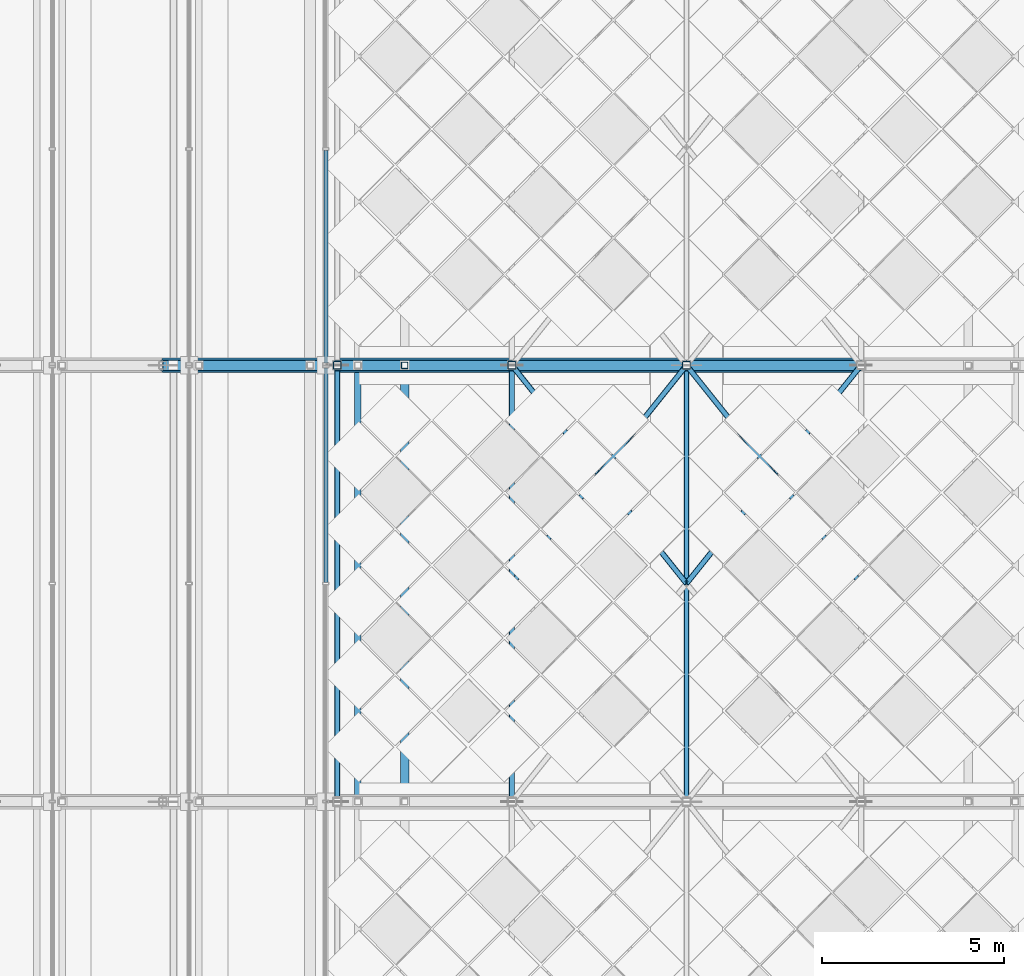
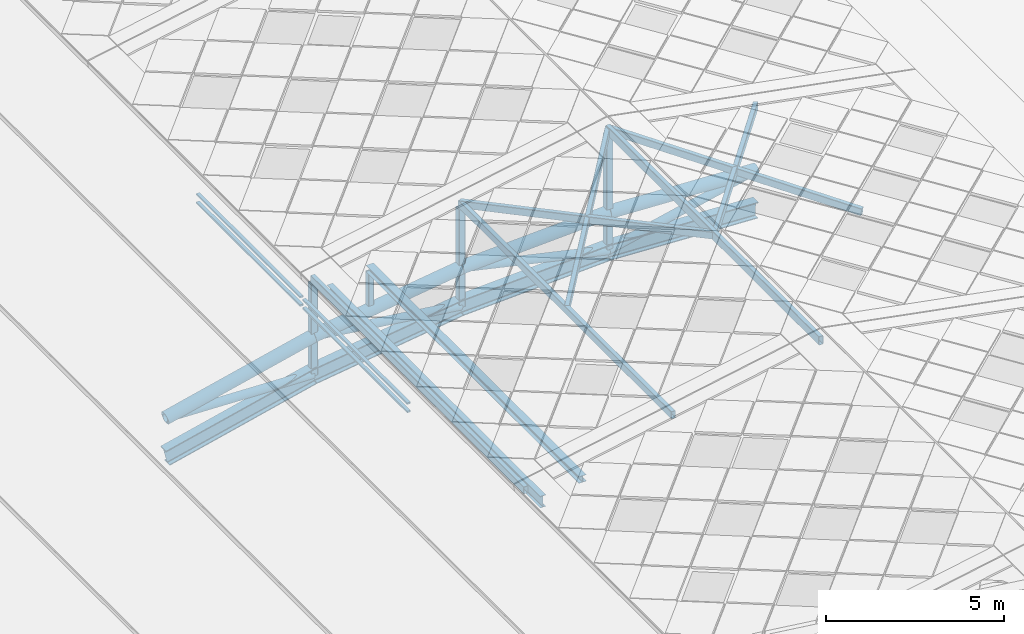
# One storey, part 25 of 117: 29 members, 2 elements without a shape of their own.
"""IFC4 building model written with IfcOpenShell, lengths in metres."""

from ifc_helpers import new_model, si_unit, direction, frame, origin, origin_2d, place, context, subcontext, project, spatial, hollow_rectangle, hollow_circle, i_section, extrude, material, material_profile, profile_set, type_object, element, aggregate, save


model = new_model("IFC4")

# Units and contexts
model_context = context("Model", 3, precision=1e-05, world=origin(), true_north=direction((0.0, 1.0)))
body_context = subcontext(model_context, "Body", "Model", "MODEL_VIEW")
ifc_project = project(units=[si_unit("LENGTHUNIT", "METRE"), si_unit("AREAUNIT", "SQUARE_METRE"), si_unit("VOLUMEUNIT", "CUBIC_METRE"), si_unit("PLANEANGLEUNIT", "RADIAN"), si_unit("MASSUNIT", "GRAM", prefix="KILO")], contexts=[model_context])

# Site, building, storey
site_placement = place(None, origin())
site = spatial("IfcSite", under=ifc_project, at=site_placement, CompositionType="ELEMENT")
building_placement = place(site_placement, origin())
building = spatial("IfcBuilding", under=site, at=building_placement, Name="Merenkruunu Market Hall", CompositionType="ELEMENT")
storey_placement = place(building_placement, frame((0.0, 0.0, 22.800048828125)))
storey = spatial("IfcBuildingStorey", under=building, at=storey_placement, Name="RF", CompositionType="ELEMENT", Elevation=22.800048828125)

# Members
ifc_material_1 = material(Name="Steel S355ML", Category="steel")
ifc_material_profile_1 = material_profile(ifc_material_1, hollow_circle(Radius=0.203125, WallThickness=0.01611328125, at=origin_2d()), Name="CHS 406.4x16")
ifc_profile_set_1 = profile_set([ifc_material_profile_1], Name="Steel S355ML")
member_type_1 = type_object("IfcMemberType", Name="Arch Truss Chord TC02", PredefinedType="CHORD", material=ifc_profile_set_1)
member_1_placement = place(storey_placement, frame((14.39990234375, 87.60009765625, -3.47998046875), z_axis=(0.972941974064, 0.0, 0.231049594471), x_axis=(0.0, 1.0, 0.0)))
element("IfcMember", 1, at=member_1_placement, inside=storey, type_object=member_type_1, Name="TRUSS-AT-7-TOP-04", PredefinedType="CHORD", context=body_context, shape_type="SweptSolid", body=[
    extrude(hollow_circle(Radius=0.203125, WallThickness=0.01611328125, at=origin_2d()), origin(), (0.0, 0.0, 1.0), 4.93359375),
])
member_2_placement = place(storey_placement, frame((19.199951171875, 87.60009765625, -2.340087890625), z_axis=(0.990338564897, 0.0, 0.138670569613), x_axis=(0.0, 1.0, 0.0)))
element("IfcMember", 2, at=member_2_placement, inside=storey, type_object=member_type_1, Name="TRUSS-AT-7-TOP-05", PredefinedType="CHORD", context=body_context, shape_type="SweptSolid", body=[
    extrude(hollow_circle(Radius=0.203125, WallThickness=0.01611328125, at=origin_2d()), origin(), (0.0, 0.0, 1.0), 4.846923828125),
])
for number, where, z_axis, x_axis, name in (
    (3, (24.0, 87.60009765625, -1.66796875), (0.998932934692, 0.0, 0.046184326211), (0.0, 1.0, 0.0), "TRUSS-AT-7-TOP-06"),
    (4, (28.800048828125, 87.60009765625, -1.446044921875), (0.998932934692, 0.0, -0.046184326211), (0.0, 1.0, 0.0), "TRUSS-AT-7-TOP-07"),
):
    element("IfcMember", number, at=place(storey_placement, frame(where, z_axis=z_axis, x_axis=x_axis)), inside=storey, type_object=member_type_1, Name=name, PredefinedType="CHORD", context=body_context, shape_type="SweptSolid", body=[
        extrude(hollow_circle(Radius=0.203125, WallThickness=0.01611328125, at=origin_2d()), origin(), (0.0, 0.0, 1.0), 4.80517578125),
    ])
ifc_material_profile_2 = material_profile(ifc_material_1, i_section(OverallWidth=0.300048828125, OverallDepth=0.550048828125, WebThickness=0.014892578125, FlangeThickness=0.029052734375, FilletRadius=0.027099609375, at=origin_2d()), Name="HEB 550")
ifc_profile_set_2 = profile_set([ifc_material_profile_2], Name="Steel S355ML")
member_type_2 = type_object("IfcMemberType", Name="Arch Truss Chord TC03", PredefinedType="CHORD", material=ifc_profile_set_2)
member_3_placement = place(storey_placement, frame((14.39990234375, 87.60009765625, -4.780029296875), z_axis=(0.972941974064, 0.0, 0.231049594471), x_axis=(0.0, 1.0, 0.0)))
element("IfcMember", 5, at=member_3_placement, inside=storey, type_object=member_type_2, Name="TRUSS-AT-7-BOT-04", PredefinedType="CHORD", context=body_context, shape_type="SweptSolid", body=[
    extrude(i_section(OverallWidth=0.300048828125, OverallDepth=0.550048828125, WebThickness=0.014892578125, FlangeThickness=0.029052734375, FilletRadius=0.027099609375, at=origin_2d()), origin(), (0.0, 0.0, 1.0), 4.93359375),
])
member_4_placement = place(storey_placement, frame((19.199951171875, 87.60009765625, -3.64013671875), z_axis=(0.990338564897, 0.0, 0.138670569613), x_axis=(0.0, 1.0, 0.0)))
element("IfcMember", 6, at=member_4_placement, inside=storey, type_object=member_type_2, Name="TRUSS-AT-7-BOT-05", PredefinedType="CHORD", context=body_context, shape_type="SweptSolid", body=[
    extrude(i_section(OverallWidth=0.300048828125, OverallDepth=0.550048828125, WebThickness=0.014892578125, FlangeThickness=0.029052734375, FilletRadius=0.027099609375, at=origin_2d()), origin(), (0.0, 0.0, 1.0), 4.846923828125),
])
for number, where, z_axis, x_axis, name in (
    (7, (24.0, 87.60009765625, -2.968017578125), (0.998932934692, 0.0, 0.046184326211), (0.0, 1.0, 0.0), "TRUSS-AT-7-BOT-06"),
    (8, (28.800048828125, 87.60009765625, -2.74609375), (0.998932934692, 0.0, -0.046184326211), (0.0, 1.0, 0.0), "TRUSS-AT-7-BOT-07"),
):
    element("IfcMember", number, at=place(storey_placement, frame(where, z_axis=z_axis, x_axis=x_axis)), inside=storey, type_object=member_type_2, Name=name, PredefinedType="CHORD", context=body_context, shape_type="SweptSolid", body=[
        extrude(i_section(OverallWidth=0.300048828125, OverallDepth=0.550048828125, WebThickness=0.014892578125, FlangeThickness=0.029052734375, FilletRadius=0.027099609375, at=origin_2d()), origin(), (0.0, 0.0, 1.0), 4.80517578125),
    ])

# Curtain wall, members
ifc_material_2 = material(Name="Powder-coated aluminium", Category="aluminium")
curtain_wall_type = type_object("IfcCurtainWallType", Name="Clerestory Curtain Band CL05", PredefinedType="USERDEFINED", material=ifc_material_2)
curtain_wall_1_placement = place(storey_placement, origin())
curtain_wall_1 = element("IfcCurtainWall", 9, at=curtain_wall_1_placement, inside=storey, type_object=curtain_wall_type, Name="CW-RF-CWM04-117", ObjectType="CLERESTORY_BAND", PredefinedType="USERDEFINED")
ifc_material_profile_3 = material_profile(ifc_material_2, hollow_rectangle(XDim=0.06005859375, YDim=0.110107421875, WallThickness=0.00390625, at=origin_2d()), Name="ALU 60x110x4")
ifc_profile_set_3 = profile_set([ifc_material_profile_3], Name="Powder-coated aluminium")
member_type_3 = type_object("IfcMemberType", Name="Curtain Wall Transom CWT03", PredefinedType="USERDEFINED", material=ifc_profile_set_3)
member_5_placement = place(storey_placement, frame((18.8798828125, 81.635009765625, -1.212158203125), z_axis=(0.0, 1.0, 0.0), x_axis=(0.0, 0.0, 1.0)))
member_5 = element("IfcMember", 10, at=member_5_placement, type_object=member_type_3, Name="CL05 transom 4.1", ObjectType="TRANSOM", PredefinedType="USERDEFINED", context=body_context, shape_type="SweptSolid", body=[
    extrude(hollow_rectangle(XDim=0.06005859375, YDim=0.110107421875, WallThickness=0.00390625, at=origin_2d()), origin(), (0.0, 0.0, 1.0), 5.89501953125),
])
member_6_placement = place(storey_placement, frame((18.8798828125, 81.635009765625, -0.924072265625), z_axis=(0.0, 1.0, 0.0), x_axis=(0.0, 0.0, 1.0)))
member_6 = element("IfcMember", 11, at=member_6_placement, type_object=member_type_3, Name="CL05 transom 4.2", ObjectType="TRANSOM", PredefinedType="USERDEFINED", context=body_context, shape_type="SweptSolid", body=[
    extrude(hollow_rectangle(XDim=0.06005859375, YDim=0.110107421875, WallThickness=0.00390625, at=origin_2d()), origin(), (0.0, 0.0, 1.0), 5.89501953125),
])
aggregate(curtain_wall_1, [member_5, member_6])

curtain_wall_2_placement = place(storey_placement, origin())
curtain_wall_2 = element("IfcCurtainWall", 12, at=curtain_wall_2_placement, inside=storey, type_object=curtain_wall_type, Name="CW-RF-CWM04-119", ObjectType="CLERESTORY_BAND", PredefinedType="USERDEFINED")
member_7_placement = place(storey_placement, frame((18.8798828125, 87.669921875, -1.212158203125), z_axis=(0.0, 1.0, 0.0), x_axis=(0.0, 0.0, 1.0)))
member_7 = element("IfcMember", 13, at=member_7_placement, type_object=member_type_3, Name="CL05 transom 1.1", ObjectType="TRANSOM", PredefinedType="USERDEFINED", context=body_context, shape_type="SweptSolid", body=[
    extrude(hollow_rectangle(XDim=0.06005859375, YDim=0.110107421875, WallThickness=0.00390625, at=origin_2d()), origin(), (0.0, 0.0, 1.0), 5.844970703125),
])
member_8_placement = place(storey_placement, frame((18.8798828125, 87.669921875, -0.924072265625), z_axis=(0.0, 1.0, 0.0), x_axis=(0.0, 0.0, 1.0)))
member_8 = element("IfcMember", 14, at=member_8_placement, type_object=member_type_3, Name="CL05 transom 1.2", ObjectType="TRANSOM", PredefinedType="USERDEFINED", context=body_context, shape_type="SweptSolid", body=[
    extrude(hollow_rectangle(XDim=0.06005859375, YDim=0.110107421875, WallThickness=0.00390625, at=origin_2d()), origin(), (0.0, 0.0, 1.0), 5.844970703125),
])
aggregate(curtain_wall_2, [member_7, member_8])

# Members
ifc_material_profile_4 = material_profile(ifc_material_1, hollow_circle(Radius=0.136474609375, WallThickness=0.012451171875, at=origin_2d()), Name="CHS 273x12.5")
ifc_profile_set_4 = profile_set([ifc_material_profile_4], Name="Steel S355ML")
member_type_4 = type_object("IfcMemberType", Name="Diagonal Sway Brace BR02", PredefinedType="BRACE", material=ifc_profile_set_4)
member_9_placement = place(storey_placement, frame((14.39990234375, 87.60009765625, -3.47998046875), z_axis=(0.999443834494, 0.0, -0.033346989239), x_axis=(0.0, 1.0, 0.0)))
element("IfcMember", 15, at=member_9_placement, inside=storey, type_object=member_type_4, Name="TRUSS-AT-7-DIAG-04", PredefinedType="BRACE", context=body_context, shape_type="SweptSolid", body=[
    extrude(hollow_circle(Radius=0.136474609375, WallThickness=0.012451171875, at=origin_2d()), origin(), (0.0, 0.0, 1.0), 4.802734375),
])
member_10_placement = place(storey_placement, frame((19.199951171875, 87.60009765625, -2.340087890625), z_axis=(0.991551689691, 0.0, -0.129712168551), x_axis=(0.0, 1.0, 0.0)))
element("IfcMember", 16, at=member_10_placement, inside=storey, type_object=member_type_4, Name="TRUSS-AT-7-DIAG-05", PredefinedType="BRACE", context=body_context, shape_type="SweptSolid", body=[
    extrude(hollow_circle(Radius=0.136474609375, WallThickness=0.012451171875, at=origin_2d()), origin(), (0.0, 0.0, 1.0), 4.841064453125),
])
for number, where, z_axis, x_axis, name in (
    (17, (24.0, 87.60009765625, -1.66796875), (0.975691787326, 0.0, -0.219147293262), (0.0, 1.0, 0.0), "TRUSS-AT-7-DIAG-06"),
    (18, (28.800048828125, 87.60009765625, -2.74609375), (0.975691787326, 0.0, 0.219147293262), (0.0, 1.0, 0.0), "TRUSS-AT-7-DIAG-07"),
):
    element("IfcMember", number, at=place(storey_placement, frame(where, z_axis=z_axis, x_axis=x_axis)), inside=storey, type_object=member_type_4, Name=name, PredefinedType="BRACE", context=body_context, shape_type="SweptSolid", body=[
        extrude(hollow_circle(Radius=0.136474609375, WallThickness=0.012451171875, at=origin_2d()), origin(), (0.0, 0.0, 1.0), 4.919677734375),
    ])
ifc_material_3 = material(Name="Steel S355J2", Category="steel")
ifc_material_profile_5 = material_profile(ifc_material_3, hollow_rectangle(XDim=0.219970703125, YDim=0.219970703125, WallThickness=0.012451171875, InnerFilletRadius=0.012451171875, OuterFilletRadius=0.02490234375, at=origin_2d()), Name="SHS 220x220x12.5")
ifc_profile_set_5 = profile_set([ifc_material_profile_5], Name="Steel S355J2")
member_type_5 = type_object("IfcMemberType", Name="Diagonal Sway Brace BR04", PredefinedType="BRACE", material=ifc_profile_set_5)
member_11_placement = place(storey_placement, frame((19.199951171875, 87.60009765625, -3.64013671875), z_axis=(0.0, 0.0, 1.0), x_axis=(1.0, 0.0, 0.0)))
element("IfcMember", 19, at=member_11_placement, inside=storey, type_object=member_type_5, Name="TRUSS-AT-7-POST-04", PredefinedType="BRACE", context=body_context, shape_type="SweptSolid", body=[
    extrude(hollow_rectangle(XDim=0.219970703125, YDim=0.219970703125, WallThickness=0.012451171875, InnerFilletRadius=0.012451171875, OuterFilletRadius=0.02490234375, at=origin_2d()), origin(), (0.0, 0.0, 1.0), 3.1416015625),
])
member_12_placement = place(storey_placement, frame((24.0, 87.60009765625, -2.968017578125), z_axis=(0.0, 0.0, 1.0), x_axis=(1.0, 0.0, 0.0)))
element("IfcMember", 20, at=member_12_placement, inside=storey, type_object=member_type_5, Name="TRUSS-AT-7-POST-05", PredefinedType="BRACE", context=body_context, shape_type="SweptSolid", body=[
    extrude(hollow_rectangle(XDim=0.219970703125, YDim=0.219970703125, WallThickness=0.012451171875, InnerFilletRadius=0.012451171875, OuterFilletRadius=0.02490234375, at=origin_2d()), origin(), (0.0, 0.0, 1.0), 3.3720703125),
])
member_13_placement = place(storey_placement, frame((28.800048828125, 87.60009765625, -2.74609375), z_axis=(0.0, 0.0, 1.0), x_axis=(1.0, 0.0, 0.0)))
element("IfcMember", 21, at=member_13_placement, inside=storey, type_object=member_type_5, Name="TRUSS-AT-7-POST-06", PredefinedType="BRACE", context=body_context, shape_type="SweptSolid", body=[
    extrude(hollow_rectangle(XDim=0.219970703125, YDim=0.219970703125, WallThickness=0.012451171875, InnerFilletRadius=0.012451171875, OuterFilletRadius=0.02490234375, at=origin_2d()), origin(), (0.0, 0.0, 1.0), 4.00244140625),
])
ifc_material_profile_6 = material_profile(ifc_material_3, hollow_rectangle(XDim=0.179931640625, YDim=0.179931640625, WallThickness=0.010009765625, InnerFilletRadius=0.010009765625, OuterFilletRadius=0.02001953125, at=origin_2d()), Name="SHS 180x180x10")
ifc_profile_set_6 = profile_set([ifc_material_profile_6], Name="Steel S355J2")
member_type_6 = type_object("IfcMemberType", Name="Diagonal Sway Brace BR05", PredefinedType="BRACE", material=ifc_profile_set_6)
member_14_placement = place(storey_placement, frame((21.050048828125, 87.60009765625, -1.889892578125), z_axis=(0.0, 0.0, 1.0), x_axis=(1.0, 0.0, 0.0)))
element("IfcMember", 22, at=member_14_placement, inside=storey, type_object=member_type_6, Name="TRUSS-AT-7-RISER-W6-2", PredefinedType="BRACE", context=body_context, shape_type="SweptSolid", body=[
    extrude(hollow_rectangle(XDim=0.179931640625, YDim=0.179931640625, WallThickness=0.010009765625, InnerFilletRadius=0.010009765625, OuterFilletRadius=0.02001953125, at=origin_2d()), origin(), (0.0, 0.0, 1.0), 1.12841796875),
])
ifc_material_profile_7 = material_profile(ifc_material_1, hollow_rectangle(XDim=0.14990234375, YDim=0.25, WallThickness=0.010009765625, InnerFilletRadius=0.010009765625, OuterFilletRadius=0.02001953125, at=origin_2d()), Name="RHS 250x150x10")
ifc_profile_set_7 = profile_set([ifc_material_profile_7], Name="Steel S355ML")
member_type_7 = type_object("IfcMemberType", Name="Roof Purlin Rafter PR04", PredefinedType="PURLIN", material=ifc_profile_set_7)
for number, where, z_axis, x_axis, name in (
    (23, (19.199951171875, 75.60009765625, -0.35546875), (0.0, 1.0, 0.0), (-1.0, 0.0, 0.0), "MEM-CROWN-EAVE-067"),
    (24, (24.0, 75.60009765625, 0.546875), (0.0, 1.0, 0.0), (-1.0, 0.0, 0.0), "MEM-CROWN-MID-068"),
):
    element("IfcMember", number, at=place(storey_placement, frame(where, z_axis=z_axis, x_axis=x_axis)), inside=storey, type_object=member_type_7, Name=name, PredefinedType="PURLIN", context=body_context, shape_type="SweptSolid", body=[
        extrude(hollow_rectangle(XDim=0.14990234375, YDim=0.25, WallThickness=0.010009765625, InnerFilletRadius=0.010009765625, OuterFilletRadius=0.02001953125, at=origin_2d()), origin(), (0.0, 0.0, 1.0), 12.0),
    ])
for number, where, z_axis, x_axis, name in (
    (25, (24.0, 81.60009765625, 0.546875), (0.620665210201, 0.775823620665, 0.11345662812), (-0.780865709579, 0.624698922365, 0.0), "MEM-CROWN-DIAG-071"),
    (26, (28.800048828125, 81.60009765625, 1.42431640625), (-0.620665210201, 0.775823620665, -0.11345662812), (-0.780865709579, -0.624698922365, 0.0), "MEM-CROWN-DIAG-072"),
    (27, (33.60009765625, 81.60009765625, 0.546875), (-0.620665210201, 0.775823620665, 0.11345662812), (-0.780865709579, -0.624698922365, 0.0), "MEM-CROWN-DIAG-077"),
    (28, (28.800048828125, 81.60009765625, 1.42431640625), (0.620665210201, 0.775823620665, -0.11345662812), (-0.780865709579, 0.624698922365, 0.0), "MEM-CROWN-DIAG-078"),
):
    element("IfcMember", number, at=place(storey_placement, frame(where, z_axis=z_axis, x_axis=x_axis)), inside=storey, type_object=member_type_7, Name=name, PredefinedType="PURLIN", context=body_context, shape_type="SweptSolid", body=[
        extrude(hollow_rectangle(XDim=0.14990234375, YDim=0.25, WallThickness=0.010009765625, InnerFilletRadius=0.010009765625, OuterFilletRadius=0.02001953125, at=origin_2d()), origin(), (0.0, 0.0, 1.0), 7.733642578125),
    ])
ifc_material_profile_8 = material_profile(ifc_material_1, hollow_rectangle(XDim=0.14990234375, YDim=0.300048828125, WallThickness=0.012451171875, InnerFilletRadius=0.012451171875, OuterFilletRadius=0.02490234375, at=origin_2d()), Name="RHS 300x150x12.5")
ifc_profile_set_8 = profile_set([ifc_material_profile_8], Name="Steel S355ML")
member_type_8 = type_object("IfcMemberType", Name="Roof Purlin Rafter PR05", PredefinedType="PURLIN", material=ifc_profile_set_8)
member_15_placement = place(storey_placement, frame((28.800048828125, 75.60009765625, 1.42431640625), z_axis=(0.0, 1.0, 0.0), x_axis=(-1.0, 0.0, 0.0)))
element("IfcMember", 29, at=member_15_placement, inside=storey, type_object=member_type_8, Name="MEM-CROWN-RIDGE-066", PredefinedType="PURLIN", context=body_context, shape_type="SweptSolid", body=[
    extrude(hollow_rectangle(XDim=0.14990234375, YDim=0.300048828125, WallThickness=0.012451171875, InnerFilletRadius=0.012451171875, OuterFilletRadius=0.02490234375, at=origin_2d()), origin(), (0.0, 0.0, 1.0), 12.0),
])
ifc_material_profile_9 = material_profile(ifc_material_1, i_section(OverallWidth=0.239990234375, OverallDepth=0.22998046875, WebThickness=0.007568359375, FlangeThickness=0.011962890625, FilletRadius=0.02099609375, at=origin_2d()), Name="HEA 240")
ifc_profile_set_9 = profile_set([ifc_material_profile_9], Name="Steel S355ML")
member_type_9 = type_object("IfcMemberType", Name="Roof Purlin Rafter PR08", PredefinedType="PURLIN", material=ifc_profile_set_9)
member_16_placement = place(storey_placement, frame((21.050048828125, 75.60009765625, -0.62841796875), z_axis=(0.0, 1.0, 0.0), x_axis=(-1.0, 0.0, 0.0)))
element("IfcMember", 30, at=member_16_placement, inside=storey, type_object=member_type_9, Name="MEM-RF-PURL-W-187", PredefinedType="PURLIN", context=body_context, shape_type="SweptSolid", body=[
    extrude(i_section(OverallWidth=0.239990234375, OverallDepth=0.22998046875, WebThickness=0.007568359375, FlangeThickness=0.011962890625, FilletRadius=0.02099609375, at=origin_2d()), origin(), (0.0, 0.0, 1.0), 12.0),
])
ifc_material_profile_10 = material_profile(ifc_material_1, i_section(OverallWidth=0.179931640625, OverallDepth=0.39990234375, WebThickness=0.008544921875, FlangeThickness=0.013427734375, FilletRadius=0.02099609375, at=origin_2d()), Name="IPE 400")
ifc_profile_set_10 = profile_set([ifc_material_profile_10], Name="Steel S355ML")
member_type_10 = type_object("IfcMemberType", Name="Roof Purlin Rafter PR09", PredefinedType="PURLIN", material=ifc_profile_set_10)
member_17_placement = place(storey_placement, frame((19.760009765625, 75.60009765625, -0.947021484375), z_axis=(0.0, 1.0, 0.0), x_axis=(-1.0, 0.0, 0.0)))
element("IfcMember", 31, at=member_17_placement, inside=storey, type_object=member_type_10, Name="MEM-RF-PURL-W-171", PredefinedType="PURLIN", context=body_context, shape_type="SweptSolid", body=[
    extrude(i_section(OverallWidth=0.179931640625, OverallDepth=0.39990234375, WebThickness=0.008544921875, FlangeThickness=0.013427734375, FilletRadius=0.02099609375, at=origin_2d()), origin(), (0.0, 0.0, 1.0), 12.0),
])

save(model, "model.ifc")
